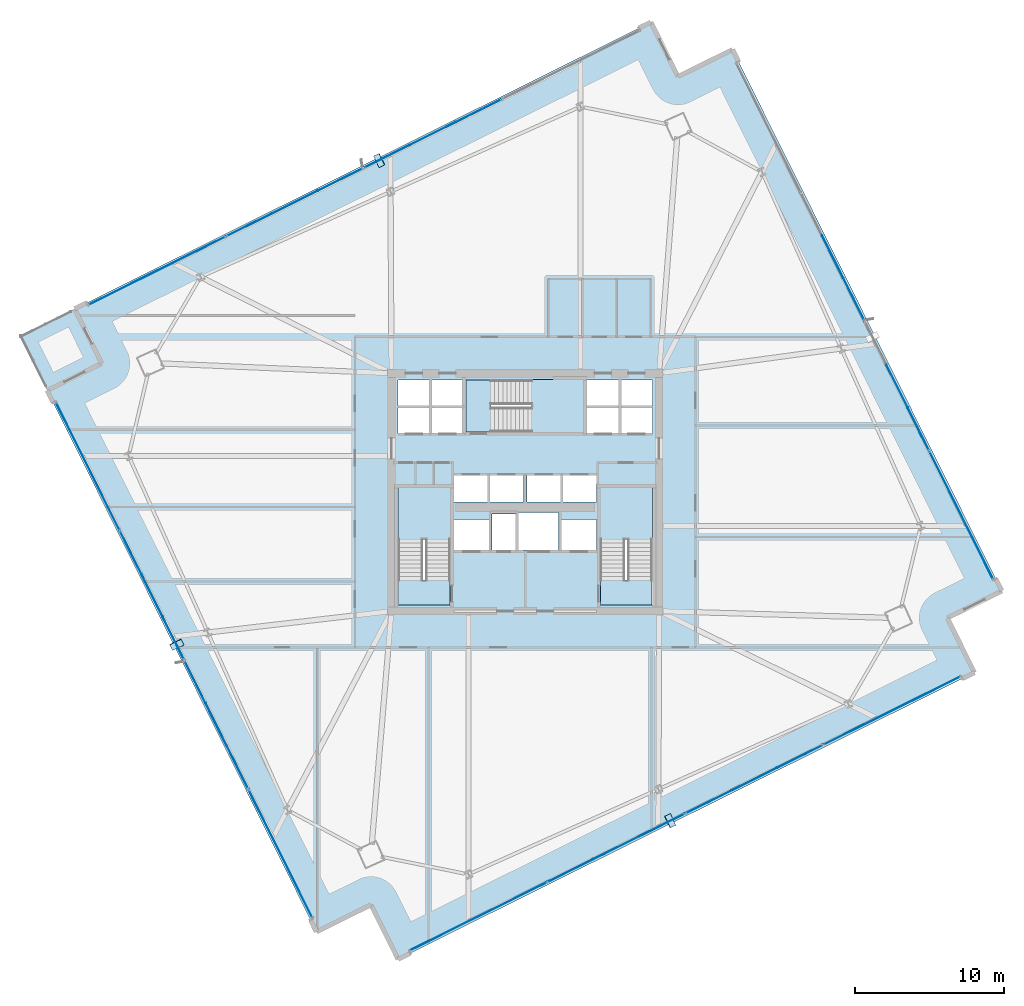
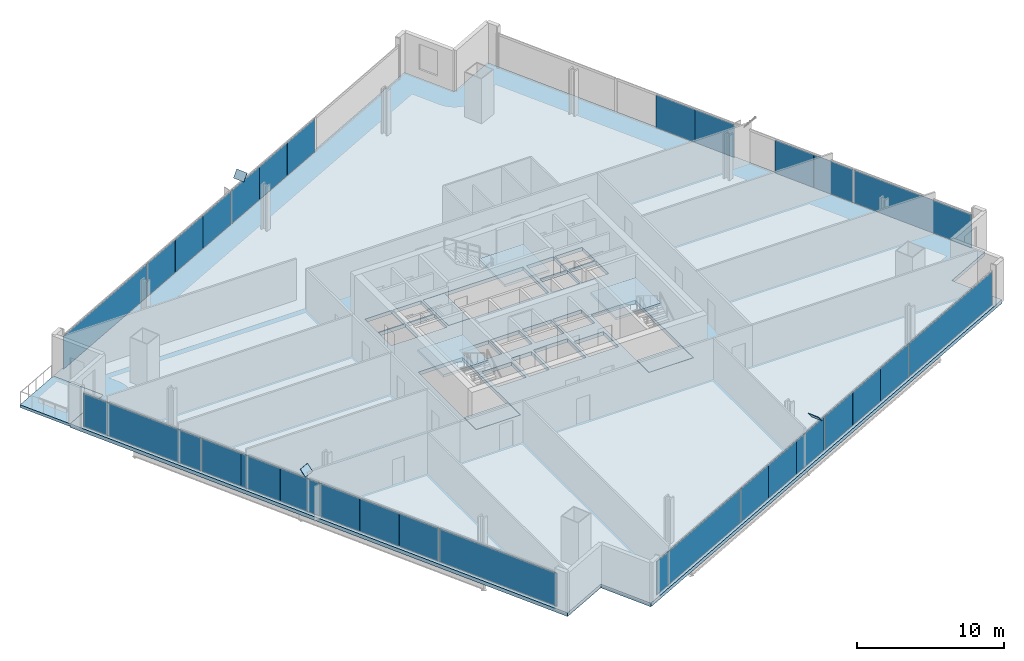
# One storey, part 24 of 35: 31 plates, 8 slabs, 7 elements without a shape of their own.
"""IFC4 building model written with IfcOpenShell, lengths in metres."""

from ifc_helpers import new_model, si_unit, direction, frame, origin, origin_2d, place, context, subcontext, project, spatial, polyline, rectangle, outline, extrude, source, transform, mapped, material, layer, layer_set, type_object, element, aggregate, save


model = new_model("IFC4")

# Units and contexts
model_context = context("Model", 3, precision=1e-05, world=origin(), true_north=direction((0.0, 1.0)))
body_context = subcontext(model_context, "Body", "Model", "MODEL_VIEW")
ifc_project = project(units=[si_unit("LENGTHUNIT", "METRE"), si_unit("AREAUNIT", "SQUARE_METRE"), si_unit("VOLUMEUNIT", "CUBIC_METRE"), si_unit("PLANEANGLEUNIT", "RADIAN"), si_unit("MASSUNIT", "GRAM", prefix="KILO")], contexts=[model_context])

# Site, building, storey
site_placement = place(None, origin())
site = spatial("IfcSite", under=ifc_project, at=site_placement, CompositionType="ELEMENT")
building_placement = place(site_placement, origin())
building = spatial("IfcBuilding", under=site, at=building_placement, Name="Haldenkirk Collegiate Tower", CompositionType="ELEMENT")
storey_placement = place(building_placement, frame((0.0, 0.0, 116.699951171875)))
storey = spatial("IfcBuildingStorey", under=building, at=storey_placement, Name="L28", CompositionType="ELEMENT", Elevation=116.699951171875)

# Slab
ifc_material_1 = material(Name="Concrete f'c 40 MPa", Category="concrete")
ifc_layer_1 = layer(ifc_material_1, 0.300048828125)
ifc_layer_set_1 = layer_set([ifc_layer_1], Name="Concrete f'c 40 MPa")
slab_type_1 = type_object("IfcSlabType", Name="SLB-FLR-300", PredefinedType="FLOOR", material=ifc_layer_set_1)
slab_1_placement = place(storey_placement, frame((0.0, 0.0, -0.300048828125)))
element("IfcSlab", 1, at=slab_1_placement, inside=storey, type_object=slab_type_1, Name="L28 composite structural floor slab", PredefinedType="FLOOR", context=body_context, shape_type="SweptSolid", body=[
    extrude(outline(polyline([(27.450927734375, -5.422119140625), (66.218505859375, 13.864501953125), (64.392333984375, 17.535400390625), (68.06298828125, 19.361572265625), (49.94580078125, 55.77880859375), (46.27490234375, 53.95263671875), (44.44873046875, 57.62353515625), (5.681396484375, 38.3369140625), (7.507568359375, 34.666015625), (3.836669921875, 32.83984375), (21.9541015625, -3.577392578125), (25.624755859375, -1.751220703125), (27.450927734375, -5.422119140625)]), holes=[polyline([(27.449951171875, 18.39990234375), (30.949951171875, 18.39990234375), (30.949951171875, 26.300048828125), (27.449951171875, 26.300048828125), (27.449951171875, 18.39990234375)]), polyline([(41.050048828125, 18.39990234375), (44.550048828125, 18.39990234375), (44.550048828125, 26.300048828125), (41.050048828125, 26.300048828125), (41.050048828125, 18.39990234375)]), polyline([(32.0, 30.050048828125), (39.89990234375, 30.050048828125), (39.89990234375, 33.550048828125), (32.0, 33.550048828125), (32.0, 30.050048828125)]), polyline([(33.75, 22.10009765625), (35.35009765625, 22.10009765625), (35.35009765625, 24.550048828125), (33.75, 24.550048828125), (33.75, 22.10009765625)]), polyline([(27.449951171875, 29.949951171875), (29.580078125, 29.949951171875), (29.580078125, 31.699951171875), (27.449951171875, 31.699951171875), (27.449951171875, 29.949951171875)]), polyline([(29.679931640625, 29.949951171875), (31.85009765625, 29.949951171875), (31.85009765625, 31.699951171875), (29.679931640625, 31.699951171875), (29.679931640625, 29.949951171875)]), polyline([(27.449951171875, 31.800048828125), (29.580078125, 31.800048828125), (29.580078125, 33.550048828125), (27.449951171875, 33.550048828125), (27.449951171875, 31.800048828125)]), polyline([(29.679931640625, 31.800048828125), (31.85009765625, 31.800048828125), (31.85009765625, 33.550048828125), (29.679931640625, 33.550048828125), (29.679931640625, 31.800048828125)]), polyline([(40.14990234375, 29.949951171875), (42.320068359375, 29.949951171875), (42.320068359375, 31.699951171875), (40.14990234375, 31.699951171875), (40.14990234375, 29.949951171875)]), polyline([(42.419921875, 29.949951171875), (44.550048828125, 29.949951171875), (44.550048828125, 31.699951171875), (42.419921875, 31.699951171875), (42.419921875, 29.949951171875)]), polyline([(40.14990234375, 31.800048828125), (42.320068359375, 31.800048828125), (42.320068359375, 33.550048828125), (40.14990234375, 33.550048828125), (40.14990234375, 31.800048828125)]), polyline([(42.419921875, 31.800048828125), (44.550048828125, 31.800048828125), (44.550048828125, 33.550048828125), (42.419921875, 33.550048828125), (42.419921875, 31.800048828125)]), polyline([(31.199951171875, 25.35009765625), (33.47998046875, 25.35009765625), (33.47998046875, 27.14990234375), (31.199951171875, 27.14990234375), (31.199951171875, 25.35009765625)]), polyline([(33.60009765625, 25.35009765625), (35.8798828125, 25.35009765625), (35.8798828125, 27.14990234375), (33.60009765625, 27.14990234375), (33.60009765625, 25.35009765625)]), polyline([(36.1201171875, 25.35009765625), (38.39990234375, 25.35009765625), (38.39990234375, 27.14990234375), (36.1201171875, 27.14990234375), (36.1201171875, 25.35009765625)]), polyline([(38.52001953125, 25.35009765625), (40.800048828125, 25.35009765625), (40.800048828125, 27.14990234375), (38.52001953125, 27.14990234375), (38.52001953125, 25.35009765625)]), polyline([(31.199951171875, 22.10009765625), (33.550048828125, 22.10009765625), (33.550048828125, 24.14990234375), (31.199951171875, 24.14990234375), (31.199951171875, 22.10009765625)]), polyline([(38.449951171875, 22.10009765625), (40.800048828125, 22.10009765625), (40.800048828125, 24.14990234375), (38.449951171875, 24.14990234375), (38.449951171875, 22.10009765625)]), polyline([(35.550048828125, 22.10009765625), (38.25, 22.10009765625), (38.25, 24.64990234375), (35.550048828125, 24.64990234375), (35.550048828125, 22.10009765625)])]), origin(), (0.0, 0.0, 1.0), 0.300048828125),
])

# Stair, slab
stair_type = type_object("IfcStairType", Name="STR-DOGLEG-1650", PredefinedType="HALF_TURN_STAIR", material=ifc_material_1)
stair_1_placement = place(storey_placement, origin())
stair_1 = element("IfcStair", 2, at=stair_1_placement, inside=storey, type_object=stair_type, Name="L28 Core Exit Stair ST-1", PredefinedType="HALF_TURN_STAIR")
ifc_layer_2 = layer(ifc_material_1, 0.199951171875)
ifc_layer_set_2 = layer_set([ifc_layer_2], Name="Concrete f'c 40 MPa")
slab_type_2 = type_object("IfcSlabType", Name="SLB-LANDING-200", PredefinedType="LANDING", material=ifc_layer_set_2)
slab_2_placement = place(storey_placement, frame((0.0, 0.0, 1.675048828125)))
slab_2 = element("IfcSlab", 3, at=slab_2_placement, type_object=slab_type_2, Name="ST-1 landing 1", PredefinedType="LANDING", context=body_context, shape_type="SweptSolid", body=[
    extrude(outline(polyline([(30.97509765625, 22.824951171875), (27.425048828125, 22.824951171875), (27.425048828125, 26.324951171875), (30.97509765625, 26.324951171875), (30.97509765625, 22.824951171875)])), origin(), (0.0, 0.0, 1.0), 0.199951171875),
])
aggregate(stair_1, [slab_2])

stair_2_placement = place(storey_placement, origin())
stair_2 = element("IfcStair", 4, at=stair_2_placement, inside=storey, type_object=stair_type, Name="L28 Core Exit Stair ST-2", PredefinedType="HALF_TURN_STAIR")
slab_3_placement = place(storey_placement, frame((0.0, 0.0, 1.675048828125)))
slab_3 = element("IfcSlab", 5, at=slab_3_placement, type_object=slab_type_2, Name="ST-2 landing 1", PredefinedType="LANDING", context=body_context, shape_type="SweptSolid", body=[
    extrude(outline(polyline([(44.574951171875, 22.824951171875), (41.02490234375, 22.824951171875), (41.02490234375, 26.324951171875), (44.574951171875, 26.324951171875), (44.574951171875, 22.824951171875)])), origin(), (0.0, 0.0, 1.0), 0.199951171875),
])
aggregate(stair_2, [slab_3])

stair_3_placement = place(storey_placement, origin())
stair_3 = element("IfcStair", 6, at=stair_3_placement, inside=storey, type_object=stair_type, Name="L28 Core Exit Stair ST-3", PredefinedType="HALF_TURN_STAIR")
slab_4_placement = place(storey_placement, frame((0.0, 0.0, 1.675048828125)))
slab_4 = element("IfcSlab", 7, at=slab_4_placement, type_object=slab_type_2, Name="ST-3 landing 1", PredefinedType="LANDING", context=body_context, shape_type="SweptSolid", body=[
    extrude(outline(polyline([(36.425048828125, 30.02490234375), (36.425048828125, 33.574951171875), (39.925048828125, 33.574951171875), (39.925048828125, 30.02490234375), (36.425048828125, 30.02490234375)])), origin(), (0.0, 0.0, 1.0), 0.199951171875),
])
aggregate(stair_3, [slab_4])

# Slabs
ifc_layer_3 = layer(ifc_material_1, 0.25)
ifc_layer_set_3 = layer_set([ifc_layer_3], Name="Concrete f'c 40 MPa")
slab_type_3 = type_object("IfcSlabType", Name="SLB-STAIRLAND-250", PredefinedType="LANDING", material=ifc_layer_set_3)
slab_5_placement = place(storey_placement, frame((0.0, 0.0, -0.25)))
element("IfcSlab", 8, at=slab_5_placement, inside=storey, type_object=slab_type_3, Name="L28 stair ST1 structural floor landing slab", PredefinedType="LANDING", context=body_context, shape_type="SweptSolid", body=[
    extrude(outline(polyline([(27.4599609375, 18.409912109375), (30.93994140625, 18.409912109375), (30.93994140625, 20.080078125), (27.4599609375, 20.080078125), (27.4599609375, 18.409912109375)])), origin(), (0.0, 0.0, 1.0), 0.25),
])
slab_6_placement = place(storey_placement, frame((0.0, 0.0, -0.25)))
element("IfcSlab", 9, at=slab_6_placement, inside=storey, type_object=slab_type_3, Name="L28 stair ST2 structural floor landing slab", PredefinedType="LANDING", context=body_context, shape_type="SweptSolid", body=[
    extrude(outline(polyline([(41.06005859375, 18.409912109375), (44.5400390625, 18.409912109375), (44.5400390625, 20.080078125), (41.06005859375, 20.080078125), (41.06005859375, 18.409912109375)])), origin(), (0.0, 0.0, 1.0), 0.25),
])
slab_7_placement = place(storey_placement, frame((0.0, 0.0, -0.25)))
element("IfcSlab", 10, at=slab_7_placement, inside=storey, type_object=slab_type_3, Name="L28 stair ST3 structural floor landing slab", PredefinedType="LANDING", context=body_context, shape_type="SweptSolid", body=[
    extrude(outline(polyline([(32.010009765625, 30.06005859375), (33.679931640625, 30.06005859375), (33.679931640625, 33.5400390625), (32.010009765625, 33.5400390625), (32.010009765625, 30.06005859375)])), origin(), (0.0, 0.0, 1.0), 0.25),
])
ifc_layer_4 = layer(ifc_material_1, 0.22998046875)
ifc_layer_set_4 = layer_set([ifc_layer_4], Name="Concrete f'c 40 MPa")
slab_type_4 = type_object("IfcSlabType", Name="SLB-TERR-SPIRAL-230", PredefinedType="FLOOR", material=ifc_layer_set_4)
slab_8_placement = place(storey_placement, frame((0.0, 0.0, -0.22998046875)))
element("IfcSlab", 11, at=slab_8_placement, inside=storey, type_object=slab_type_4, Name="L28 spiralling corner terrace slab", PredefinedType="FLOOR", context=body_context, shape_type="SweptSolid", body=[
    extrude(outline(polyline([(3.836669921875, 32.83984375), (7.507568359375, 34.666015625), (5.681396484375, 38.3369140625), (2.010498046875, 36.5107421875), (3.836669921875, 32.83984375)])), origin(), (0.0, 0.0, 1.0), 0.22998046875),
])

# Plates
ifc_material_2 = material(Name="Steel ASTM A572 Grade 50", Category="steel")
ifc_layer_5 = layer(ifc_material_2, 0.034912109375)
ifc_layer_set_5 = layer_set([ifc_layer_5], Name="Steel ASTM A572 Grade 50")
plate_type_1 = type_object("IfcPlateType", Name="PLT-CAP-EXT-760X600", PredefinedType="USERDEFINED", material=ifc_layer_set_5)
shared_shape_1 = source(origin(), body_context, "Body", "SweptSolid", [
    extrude(rectangle(XDim=0.860107421875, YDim=0.659912109375, at=origin_2d()), origin(), (0.0, 0.0, 1.0), 0.034912109375),
])
for number, where, z_axis, x_axis, name in (
    (12, (45.738037109375, 3.890869140625, 3.438232421875), (0.714659804761, 0.327759910459, 0.617927831187), (-0.416872838007, 0.908964816113, 5.5478e-08), "Perimeter Mega Brace Z2 L26-L28 SL end cap plate 2"),
    (13, (26.183837890625, 48.322265625, 3.438232421875), (-0.711677657889, -0.336836838079, 0.616486703648), (0.427802679512, -0.903872152133, 2.7777e-07), "Perimeter Mega Brace Z2 L26-L28 NL end cap plate 2"),
    (14, (12.548828125, 15.75341796875, 3.438232421875), (0.328649921799, -0.692687835177, 0.642006847237), (0.903467858171, 0.4286558401, 7.0061e-08), "Perimeter Mega Brace Z2 L26-L28 WL end cap plate 2"),
):
    element("IfcPlate", number, at=place(storey_placement, frame(where, z_axis=z_axis, x_axis=x_axis)), inside=storey, type_object=plate_type_1, Name=name, ObjectType="END CAP PLATE", PredefinedType="USERDEFINED", context=body_context, shape_type="MappedRepresentation", body=[
        mapped(shared_shape_1, transform((0.0, 0.0, 0.0), x_axis=(1.0, 0.0, 0.0), y_axis=(0.0, 1.0, 0.0), z_axis=(0.0, 0.0, 1.0), scale=1.0)),
    ])

# Curtain wall, plates
ifc_material_3 = material(Name="Anodised architectural bronze aluminium", Category="aluminium")
curtain_wall_type_1 = type_object("IfcCurtainWallType", Name="CW-SYS2-CONCAVE", PredefinedType="USERDEFINED", material=ifc_material_3)
curtain_wall_1_placement = place(storey_placement, origin())
curtain_wall_1 = element("IfcCurtainWall", 15, at=curtain_wall_1_placement, inside=storey, type_object=curtain_wall_type_1, Name="L28 South concave recessed bronze-anodised curtain wall", ObjectType="UNITISED CURTAIN WALL", PredefinedType="USERDEFINED")
ifc_material_4 = material(Name="Low-E argon triple insulating glass", Category="glass")
ifc_layer_6 = layer(ifc_material_4, 0.0419921875)
ifc_layer_set_6 = layer_set([ifc_layer_6], Name="Low-E argon triple insulating glass")
plate_type_2 = type_object("IfcPlateType", Name="CW-PNL-02", PredefinedType="CURTAIN_PANEL", material=ifc_layer_set_6)
shared_shape_2 = source(origin(), body_context, "Body", "SweptSolid", [
    extrude(rectangle(XDim=10.262451171875, YDim=0.0419921875, at=origin_2d()), origin(), (0.0, 0.0, 1.0), 2.7509765625),
])
plate_1_placement = place(storey_placement, frame((60.671142578125, 11.305908203125, 0.074951171875), z_axis=(0.0, 0.0, 1.0), x_axis=(-0.895324181098, -0.445415099364, 0.0)))
plate_1 = element("IfcPlate", 16, at=plate_1_placement, type_object=plate_type_2, Name="CW-02 panel 1.1", PredefinedType="CURTAIN_PANEL", context=body_context, shape_type="MappedRepresentation", body=[
    mapped(shared_shape_2, transform((0.0, 0.0, 0.0), x_axis=(1.0, 0.0, 0.0), y_axis=(0.0, 1.0, 0.0), z_axis=(0.0, 0.0, 1.0), scale=1.0)),
])
plate_2_placement = place(storey_placement, frame((32.837890625, -2.541015625, 0.074951171875), z_axis=(0.0, 0.0, 1.0), x_axis=(-0.895324181098, -0.445415099364, 0.0)))
plate_2 = element("IfcPlate", 17, at=plate_2_placement, type_object=plate_type_2, Name="CW-02 panel 4.1", PredefinedType="CURTAIN_PANEL", context=body_context, shape_type="MappedRepresentation", body=[
    mapped(shared_shape_2, transform((0.0, 0.0, 0.0), x_axis=(1.0, 0.0, 0.0), y_axis=(0.0, 1.0, 0.0), z_axis=(0.0, 0.0, 1.0), scale=1.0)),
])
shared_shape_3 = source(origin(), body_context, "Body", "SweptSolid", [
    extrude(rectangle(XDim=3.4208984375, YDim=0.0419921875, at=origin_2d()), origin(), (0.0, 0.0, 1.0), 2.7509765625),
])
plate_3_placement = place(storey_placement, frame((54.478515625, 8.22509765625, 0.074951171875), z_axis=(0.0, 0.0, 1.0), x_axis=(-0.895324181098, -0.445415099364, 0.0)))
plate_3 = element("IfcPlate", 18, at=plate_3_placement, type_object=plate_type_2, Name="CW-02 panel 2.1a", PredefinedType="CURTAIN_PANEL", context=body_context, shape_type="MappedRepresentation", body=[
    mapped(shared_shape_3, transform((0.0, 0.0, 0.0), x_axis=(1.0, 0.0, 0.0), y_axis=(0.0, 1.0, 0.0), z_axis=(0.0, 0.0, 1.0), scale=1.0)),
])
ifc_material_5 = material(Name="Bronze-anodised insulated aluminium spandrel panel", Category="aluminium")
ifc_layer_7 = layer(ifc_material_5, 0.0419921875)
ifc_layer_set_7 = layer_set([ifc_layer_7], Name="Bronze-anodised insulated aluminium spandrel panel")
plate_type_3 = type_object("IfcPlateType", Name="CW-SPD-02", PredefinedType="CURTAIN_PANEL", material=ifc_layer_set_7)
plate_4_placement = place(storey_placement, frame((48.319580078125, 5.160888671875, 0.074951171875), z_axis=(0.0, 0.0, 1.0), x_axis=(-0.895324181098, -0.445415099364, 0.0)))
plate_4 = element("IfcPlate", 19, at=plate_4_placement, type_object=plate_type_3, Name="CW-02 spandrel panel 2.1c", PredefinedType="CURTAIN_PANEL", context=body_context, shape_type="MappedRepresentation", body=[
    mapped(shared_shape_3, transform((0.0, 0.0, 0.0), x_axis=(1.0, 0.0, 0.0), y_axis=(0.0, 1.0, 0.0), z_axis=(0.0, 0.0, 1.0), scale=1.0)),
])
plate_5_placement = place(storey_placement, frame((45.189697265625, 3.60400390625, 0.074951171875), z_axis=(0.0, 0.0, 1.0), x_axis=(-0.895324181098, -0.445415099364, 0.0)))
plate_5 = element("IfcPlate", 20, at=plate_5_placement, type_object=plate_type_3, Name="CW-02 spandrel panel 3.1a", PredefinedType="CURTAIN_PANEL", context=body_context, shape_type="MappedRepresentation", body=[
    mapped(shared_shape_3, transform((0.0, 0.0, 0.0), x_axis=(1.0, 0.0, 0.0), y_axis=(0.0, 1.0, 0.0), z_axis=(0.0, 0.0, 1.0), scale=1.0)),
])
plate_6_placement = place(storey_placement, frame((39.030517578125, 0.539794921875, 0.074951171875), z_axis=(0.0, 0.0, 1.0), x_axis=(-0.895324181098, -0.445415099364, 0.0)))
plate_6 = element("IfcPlate", 21, at=plate_6_placement, type_object=plate_type_2, Name="CW-02 panel 3.1c", PredefinedType="CURTAIN_PANEL", context=body_context, shape_type="MappedRepresentation", body=[
    mapped(shared_shape_3, transform((0.0, 0.0, 0.0), x_axis=(1.0, 0.0, 0.0), y_axis=(0.0, 1.0, 0.0), z_axis=(0.0, 0.0, 1.0), scale=1.0)),
])
shared_shape_4 = source(origin(), body_context, "Body", "SweptSolid", [
    extrude(rectangle(XDim=3.408203125, YDim=0.0419921875, at=origin_2d()), origin(), (0.0, 0.0, 1.0), 2.7509765625),
])
plate_7_placement = place(storey_placement, frame((51.39892578125, 6.693115234375, 0.074951171875), z_axis=(0.0, 0.0, 1.0), x_axis=(-0.895324181098, -0.445415099364, 0.0)))
plate_7 = element("IfcPlate", 22, at=plate_7_placement, type_object=plate_type_3, Name="CW-02 spandrel panel 2.1b", PredefinedType="CURTAIN_PANEL", context=body_context, shape_type="MappedRepresentation", body=[
    mapped(shared_shape_4, transform((0.0, 0.0, 0.0), x_axis=(1.0, 0.0, 0.0), y_axis=(0.0, 1.0, 0.0), z_axis=(0.0, 0.0, 1.0), scale=1.0)),
])
plate_8_placement = place(storey_placement, frame((42.110107421875, 2.072021484375, 0.074951171875), z_axis=(0.0, 0.0, 1.0), x_axis=(-0.895324181098, -0.445415099364, 0.0)))
plate_8 = element("IfcPlate", 23, at=plate_8_placement, type_object=plate_type_3, Name="CW-02 spandrel panel 3.1b", PredefinedType="CURTAIN_PANEL", context=body_context, shape_type="MappedRepresentation", body=[
    mapped(shared_shape_4, transform((0.0, 0.0, 0.0), x_axis=(1.0, 0.0, 0.0), y_axis=(0.0, 1.0, 0.0), z_axis=(0.0, 0.0, 1.0), scale=1.0)),
])
aggregate(curtain_wall_1, [plate_1, plate_3, plate_7, plate_4, plate_5, plate_8, plate_6, plate_2])

# Curtain wall, plate
curtain_wall_type_2 = type_object("IfcCurtainWallType", Name="CW-SYS1-CONVEX-LOW", PredefinedType="USERDEFINED", material=ifc_material_3)
curtain_wall_2_placement = place(storey_placement, origin())
curtain_wall_2 = element("IfcCurtainWall", 24, at=curtain_wall_2_placement, inside=storey, type_object=curtain_wall_type_2, Name="L28 Lower tower convex bronze-framed unitised curtain wall", ObjectType="UNITISED CURTAIN WALL", PredefinedType="USERDEFINED")
ifc_layer_8 = layer(ifc_material_4, 0.0439453125)
ifc_layer_set_8 = layer_set([ifc_layer_8], Name="Low-E argon triple insulating glass")
plate_type_4 = type_object("IfcPlateType", Name="CW-PNL-1A", PredefinedType="CURTAIN_PANEL", material=ifc_layer_set_8)
shared_shape_5 = source(origin(), body_context, "Body", "SweptSolid", [
    extrude(rectangle(XDim=9.5986328125, YDim=0.0439453125, at=origin_2d()), origin(), (0.0, 0.0, 1.0), 2.740966796875),
])
plate_9_placement = place(storey_placement, frame((65.32763671875, 24.455810546875, 0.080078125), z_axis=(0.0, 0.0, 1.0), x_axis=(0.445416160519, -0.895323653183, 0.0)))
plate_9 = element("IfcPlate", 25, at=plate_9_placement, type_object=plate_type_4, Name="CW-1A panel 4.1", PredefinedType="CURTAIN_PANEL", context=body_context, shape_type="MappedRepresentation", body=[
    mapped(shared_shape_5, transform((0.0, 0.0, 0.0), x_axis=(1.0, 0.0, 0.0), y_axis=(0.0, 1.0, 0.0), z_axis=(0.0, 0.0, 1.0), scale=1.0)),
])

# Curtain wall, plates
curtain_wall_3_placement = place(storey_placement, origin())
curtain_wall_3 = element("IfcCurtainWall", 26, at=curtain_wall_3_placement, inside=storey, type_object=curtain_wall_type_2, Name="L28 Lower tower convex bronze-framed unitised curtain wall", ObjectType="UNITISED CURTAIN WALL", PredefinedType="USERDEFINED")
plate_10_placement = place(storey_placement, frame((19.541015625, 1.67724609375, 0.080078125), z_axis=(0.0, 0.0, 1.0), x_axis=(-0.445415134696, 0.895324163521, 0.0)))
plate_10 = element("IfcPlate", 27, at=plate_10_placement, type_object=plate_type_4, Name="CW-1A panel 1.1", PredefinedType="CURTAIN_PANEL", context=body_context, shape_type="MappedRepresentation", body=[
    mapped(shared_shape_5, transform((0.0, 0.0, 0.0), x_axis=(1.0, 0.0, 0.0), y_axis=(0.0, 1.0, 0.0), z_axis=(0.0, 0.0, 1.0), scale=1.0)),
])
plate_11_placement = place(storey_placement, frame((6.572265625, 27.74560546875, 0.080078125), z_axis=(0.0, 0.0, 1.0), x_axis=(-0.445415134696, 0.895324163521, 0.0)))
plate_11 = element("IfcPlate", 28, at=plate_11_placement, type_object=plate_type_4, Name="CW-1A panel 4.1", PredefinedType="CURTAIN_PANEL", context=body_context, shape_type="MappedRepresentation", body=[
    mapped(shared_shape_5, transform((0.0, 0.0, 0.0), x_axis=(1.0, 0.0, 0.0), y_axis=(0.0, 1.0, 0.0), z_axis=(0.0, 0.0, 1.0), scale=1.0)),
])

# Plate
ifc_layer_9 = layer(ifc_material_5, 0.0439453125)
ifc_layer_set_9 = layer_set([ifc_layer_9], Name="Bronze-anodised insulated aluminium spandrel panel")
plate_type_5 = type_object("IfcPlateType", Name="CW-SPD-1A", PredefinedType="CURTAIN_PANEL", material=ifc_layer_set_9)
shared_shape_6 = source(origin(), body_context, "Body", "SweptSolid", [
    extrude(rectangle(XDim=3.200439453125, YDim=0.0439453125, at=origin_2d()), origin(), (0.0, 0.0, 1.0), 2.740966796875),
])
plate_12_placement = place(storey_placement, frame((58.11279296875, 38.95849609375, 0.080078125), z_axis=(0.0, 0.0, 1.0), x_axis=(0.445416160519, -0.895323653183, 0.0)))
plate_12 = element("IfcPlate", 29, at=plate_12_placement, type_object=plate_type_5, Name="CW-1A spandrel panel 2.1c", PredefinedType="CURTAIN_PANEL", context=body_context, shape_type="MappedRepresentation", body=[
    mapped(shared_shape_6, transform((0.0, 0.0, 0.0), x_axis=(1.0, 0.0, 0.0), y_axis=(0.0, 1.0, 0.0), z_axis=(0.0, 0.0, 1.0), scale=1.0)),
])

plate_13_placement = place(storey_placement, frame((62.441650390625, 30.257080078125, 0.080078125), z_axis=(0.0, 0.0, 1.0), x_axis=(0.445416160519, -0.895323653183, 0.0)))
plate_13 = element("IfcPlate", 30, at=plate_13_placement, type_object=plate_type_4, Name="CW-1A panel 3.1c", PredefinedType="CURTAIN_PANEL", context=body_context, shape_type="MappedRepresentation", body=[
    mapped(shared_shape_6, transform((0.0, 0.0, 0.0), x_axis=(1.0, 0.0, 0.0), y_axis=(0.0, 1.0, 0.0), z_axis=(0.0, 0.0, 1.0), scale=1.0)),
])

plate_14_placement = place(storey_placement, frame((16.65478515625, 7.478515625, 0.080078125), z_axis=(0.0, 0.0, 1.0), x_axis=(-0.445415134696, 0.895324163521, 0.0)))
plate_14 = element("IfcPlate", 31, at=plate_14_placement, type_object=plate_type_4, Name="CW-1A panel 2.1a", PredefinedType="CURTAIN_PANEL", context=body_context, shape_type="MappedRepresentation", body=[
    mapped(shared_shape_6, transform((0.0, 0.0, 0.0), x_axis=(1.0, 0.0, 0.0), y_axis=(0.0, 1.0, 0.0), z_axis=(0.0, 0.0, 1.0), scale=1.0)),
])

plate_15_placement = place(storey_placement, frame((13.787109375, 13.242919921875, 0.080078125), z_axis=(0.0, 0.0, 1.0), x_axis=(-0.445415134696, 0.895324163521, 0.0)))
plate_15 = element("IfcPlate", 32, at=plate_15_placement, type_object=plate_type_5, Name="CW-1A spandrel panel 2.1c", PredefinedType="CURTAIN_PANEL", context=body_context, shape_type="MappedRepresentation", body=[
    mapped(shared_shape_6, transform((0.0, 0.0, 0.0), x_axis=(1.0, 0.0, 0.0), y_axis=(0.0, 1.0, 0.0), z_axis=(0.0, 0.0, 1.0), scale=1.0)),
])

plate_16_placement = place(storey_placement, frame((12.325927734375, 16.179931640625, 0.080078125), z_axis=(0.0, 0.0, 1.0), x_axis=(-0.445415134696, 0.895324163521, 0.0)))
plate_16 = element("IfcPlate", 33, at=plate_16_placement, type_object=plate_type_5, Name="CW-1A spandrel panel 3.1a", PredefinedType="CURTAIN_PANEL", context=body_context, shape_type="MappedRepresentation", body=[
    mapped(shared_shape_6, transform((0.0, 0.0, 0.0), x_axis=(1.0, 0.0, 0.0), y_axis=(0.0, 1.0, 0.0), z_axis=(0.0, 0.0, 1.0), scale=1.0)),
])

plate_17_placement = place(storey_placement, frame((9.458251953125, 21.9443359375, 0.080078125), z_axis=(0.0, 0.0, 1.0), x_axis=(-0.445415134696, 0.895324163521, 0.0)))
plate_17 = element("IfcPlate", 34, at=plate_17_placement, type_object=plate_type_4, Name="CW-1A panel 3.1c", PredefinedType="CURTAIN_PANEL", context=body_context, shape_type="MappedRepresentation", body=[
    mapped(shared_shape_6, transform((0.0, 0.0, 0.0), x_axis=(1.0, 0.0, 0.0), y_axis=(0.0, 1.0, 0.0), z_axis=(0.0, 0.0, 1.0), scale=1.0)),
])

shared_shape_7 = source(origin(), body_context, "Body", "SweptSolid", [
    extrude(rectangle(XDim=3.18798828125, YDim=0.0439453125, at=origin_2d()), origin(), (0.0, 0.0, 1.0), 2.740966796875),
])
plate_18_placement = place(storey_placement, frame((56.6787109375, 41.8408203125, 0.080078125), z_axis=(0.0, 0.0, 1.0), x_axis=(0.445416160519, -0.895323653183, 0.0)))
plate_18 = element("IfcPlate", 35, at=plate_18_placement, type_object=plate_type_5, Name="CW-1A spandrel panel 2.1b", PredefinedType="CURTAIN_PANEL", context=body_context, shape_type="MappedRepresentation", body=[
    mapped(shared_shape_7, transform((0.0, 0.0, 0.0), x_axis=(1.0, 0.0, 0.0), y_axis=(0.0, 1.0, 0.0), z_axis=(0.0, 0.0, 1.0), scale=1.0)),
])

plate_19_placement = place(storey_placement, frame((61.0078125, 33.139404296875, 0.080078125), z_axis=(0.0, 0.0, 1.0), x_axis=(0.445416160519, -0.895323653183, 0.0)))
plate_19 = element("IfcPlate", 36, at=plate_19_placement, type_object=plate_type_5, Name="CW-1A spandrel panel 3.1b", PredefinedType="CURTAIN_PANEL", context=body_context, shape_type="MappedRepresentation", body=[
    mapped(shared_shape_7, transform((0.0, 0.0, 0.0), x_axis=(1.0, 0.0, 0.0), y_axis=(0.0, 1.0, 0.0), z_axis=(0.0, 0.0, 1.0), scale=1.0)),
])

aggregate(curtain_wall_2, [plate_18, plate_12, plate_19, plate_13, plate_9])

plate_20_placement = place(storey_placement, frame((15.220947265625, 10.360595703125, 0.080078125), z_axis=(0.0, 0.0, 1.0), x_axis=(-0.445415134696, 0.895324163521, 0.0)))
plate_20 = element("IfcPlate", 37, at=plate_20_placement, type_object=plate_type_5, Name="CW-1A spandrel panel 2.1b", PredefinedType="CURTAIN_PANEL", context=body_context, shape_type="MappedRepresentation", body=[
    mapped(shared_shape_7, transform((0.0, 0.0, 0.0), x_axis=(1.0, 0.0, 0.0), y_axis=(0.0, 1.0, 0.0), z_axis=(0.0, 0.0, 1.0), scale=1.0)),
])

plate_21_placement = place(storey_placement, frame((10.89208984375, 19.062255859375, 0.080078125), z_axis=(0.0, 0.0, 1.0), x_axis=(-0.445415134696, 0.895324163521, 0.0)))
plate_21 = element("IfcPlate", 38, at=plate_21_placement, type_object=plate_type_5, Name="CW-1A spandrel panel 3.1b", PredefinedType="CURTAIN_PANEL", context=body_context, shape_type="MappedRepresentation", body=[
    mapped(shared_shape_7, transform((0.0, 0.0, 0.0), x_axis=(1.0, 0.0, 0.0), y_axis=(0.0, 1.0, 0.0), z_axis=(0.0, 0.0, 1.0), scale=1.0)),
])

aggregate(curtain_wall_3, [plate_10, plate_14, plate_20, plate_15, plate_16, plate_21, plate_17, plate_11])

# Curtain wall, plates
curtain_wall_4_placement = place(storey_placement, origin())
curtain_wall_4 = element("IfcCurtainWall", 39, at=curtain_wall_4_placement, inside=storey, type_object=curtain_wall_type_2, Name="L28 Lower tower convex bronze-framed unitised curtain wall", ObjectType="UNITISED CURTAIN WALL", PredefinedType="USERDEFINED")
shared_shape_8 = source(origin(), body_context, "Body", "SweptSolid", [
    extrude(rectangle(XDim=10.2548828125, YDim=0.0439453125, at=origin_2d()), origin(), (0.0, 0.0, 1.0), 2.740966796875),
])
plate_22_placement = place(storey_placement, frame((11.229736328125, 40.89599609375, 0.080078125), z_axis=(0.0, 0.0, 1.0), x_axis=(0.895323220156, 0.445417030937, 0.0)))
plate_22 = element("IfcPlate", 40, at=plate_22_placement, type_object=plate_type_4, Name="CW-1A panel 1.1", PredefinedType="CURTAIN_PANEL", context=body_context, shape_type="MappedRepresentation", body=[
    mapped(shared_shape_8, transform((0.0, 0.0, 0.0), x_axis=(1.0, 0.0, 0.0), y_axis=(0.0, 1.0, 0.0), z_axis=(0.0, 0.0, 1.0), scale=1.0)),
])
shared_shape_9 = source(origin(), body_context, "Body", "SweptSolid", [
    extrude(rectangle(XDim=3.419189453125, YDim=0.0439453125, at=origin_2d()), origin(), (0.0, 0.0, 1.0), 2.740966796875),
])
plate_23_placement = place(storey_placement, frame((17.422607421875, 43.97705078125, 0.080078125), z_axis=(0.0, 0.0, 1.0), x_axis=(0.895323220156, 0.445417030937, 0.0)))
plate_23 = element("IfcPlate", 41, at=plate_23_placement, type_object=plate_type_4, Name="CW-1A panel 2.1a", PredefinedType="CURTAIN_PANEL", context=body_context, shape_type="MappedRepresentation", body=[
    mapped(shared_shape_9, transform((0.0, 0.0, 0.0), x_axis=(1.0, 0.0, 0.0), y_axis=(0.0, 1.0, 0.0), z_axis=(0.0, 0.0, 1.0), scale=1.0)),
])
plate_24_placement = place(storey_placement, frame((23.578857421875, 47.039794921875, 0.080078125), z_axis=(0.0, 0.0, 1.0), x_axis=(0.895323220156, 0.445417030937, 0.0)))
plate_24 = element("IfcPlate", 42, at=plate_24_placement, type_object=plate_type_5, Name="CW-1A spandrel panel 2.1c", PredefinedType="CURTAIN_PANEL", context=body_context, shape_type="MappedRepresentation", body=[
    mapped(shared_shape_9, transform((0.0, 0.0, 0.0), x_axis=(1.0, 0.0, 0.0), y_axis=(0.0, 1.0, 0.0), z_axis=(0.0, 0.0, 1.0), scale=1.0)),
])
plate_25_placement = place(storey_placement, frame((26.711669921875, 48.598388671875, 0.080078125), z_axis=(0.0, 0.0, 1.0), x_axis=(0.895323220156, 0.445417030937, 0.0)))
plate_25 = element("IfcPlate", 43, at=plate_25_placement, type_object=plate_type_5, Name="CW-1A spandrel panel 3.1a", PredefinedType="CURTAIN_PANEL", context=body_context, shape_type="MappedRepresentation", body=[
    mapped(shared_shape_9, transform((0.0, 0.0, 0.0), x_axis=(1.0, 0.0, 0.0), y_axis=(0.0, 1.0, 0.0), z_axis=(0.0, 0.0, 1.0), scale=1.0)),
])
plate_26_placement = place(storey_placement, frame((32.867919921875, 51.660888671875, 0.080078125), z_axis=(0.0, 0.0, 1.0), x_axis=(0.895323220156, 0.445417030937, 0.0)))
plate_26 = element("IfcPlate", 44, at=plate_26_placement, type_object=plate_type_4, Name="CW-1A panel 3.1c", PredefinedType="CURTAIN_PANEL", context=body_context, shape_type="MappedRepresentation", body=[
    mapped(shared_shape_9, transform((0.0, 0.0, 0.0), x_axis=(1.0, 0.0, 0.0), y_axis=(0.0, 1.0, 0.0), z_axis=(0.0, 0.0, 1.0), scale=1.0)),
])
shared_shape_10 = source(origin(), body_context, "Body", "SweptSolid", [
    extrude(rectangle(XDim=3.40673828125, YDim=0.0439453125, at=origin_2d()), origin(), (0.0, 0.0, 1.0), 2.740966796875),
])
plate_27_placement = place(storey_placement, frame((20.500732421875, 45.50830078125, 0.080078125), z_axis=(0.0, 0.0, 1.0), x_axis=(0.895323220156, 0.445417030937, 0.0)))
plate_27 = element("IfcPlate", 45, at=plate_27_placement, type_object=plate_type_5, Name="CW-1A spandrel panel 2.1b", PredefinedType="CURTAIN_PANEL", context=body_context, shape_type="MappedRepresentation", body=[
    mapped(shared_shape_10, transform((0.0, 0.0, 0.0), x_axis=(1.0, 0.0, 0.0), y_axis=(0.0, 1.0, 0.0), z_axis=(0.0, 0.0, 1.0), scale=1.0)),
])
plate_28_placement = place(storey_placement, frame((29.789794921875, 50.129638671875, 0.080078125), z_axis=(0.0, 0.0, 1.0), x_axis=(0.895323220156, 0.445417030937, 0.0)))
plate_28 = element("IfcPlate", 46, at=plate_28_placement, type_object=plate_type_5, Name="CW-1A spandrel panel 3.1b", PredefinedType="CURTAIN_PANEL", context=body_context, shape_type="MappedRepresentation", body=[
    mapped(shared_shape_10, transform((0.0, 0.0, 0.0), x_axis=(1.0, 0.0, 0.0), y_axis=(0.0, 1.0, 0.0), z_axis=(0.0, 0.0, 1.0), scale=1.0)),
])
aggregate(curtain_wall_4, [plate_22, plate_23, plate_27, plate_24, plate_25, plate_28, plate_26])

save(model, "model.ifc")
